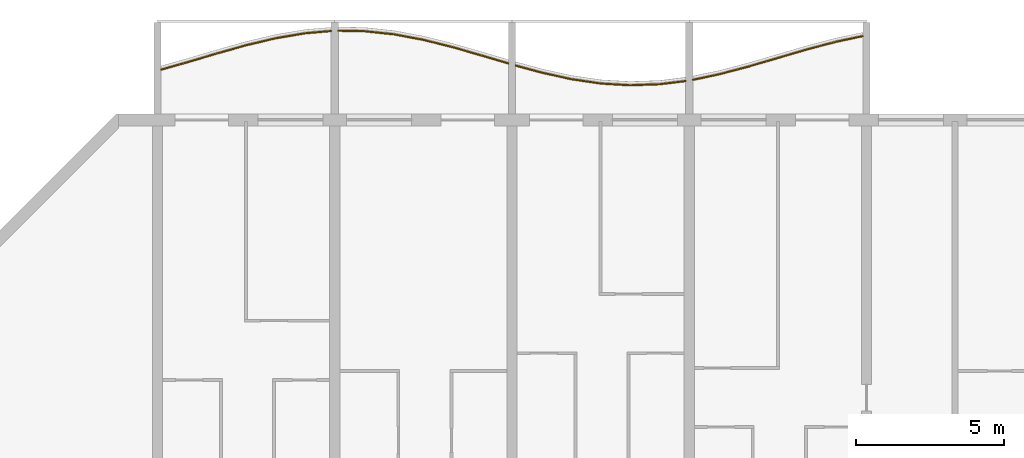
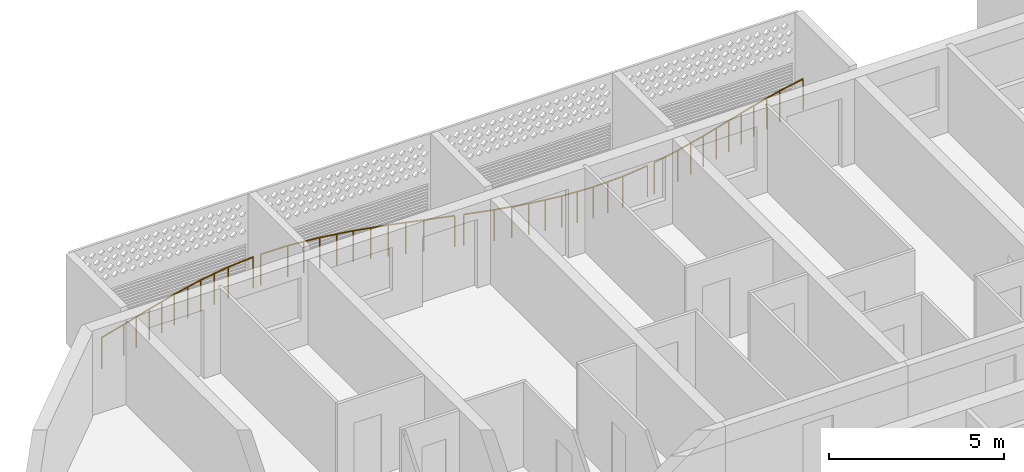
# One storey, part 17 of 24: 4 railings.
"""IFC4 building model written with IfcOpenShell, lengths in metres."""

from ifc_helpers import new_model, si_unit, direction, frame, origin, origin_2d, place, context, subcontext, project, spatial, circle, extrude, material, type_object, element, save


model = new_model("IFC4")

# Units and contexts
model_context = context("Model", 3, precision=1e-05, world=origin(), true_north=direction((0.0, 1.0)))
body_context = subcontext(model_context, "Body", "Model", "MODEL_VIEW")
ifc_project = project(units=[si_unit("LENGTHUNIT", "METRE"), si_unit("AREAUNIT", "SQUARE_METRE"), si_unit("VOLUMEUNIT", "CUBIC_METRE"), si_unit("PLANEANGLEUNIT", "RADIAN"), si_unit("MASSUNIT", "GRAM", prefix="KILO")], contexts=[model_context])

# Site, building, storey
site_placement = place(None, origin())
site = spatial("IfcSite", under=ifc_project, at=site_placement, CompositionType="ELEMENT")
building_placement = place(site_placement, origin())
building = spatial("IfcBuilding", under=site, at=building_placement, Name="Poui Terraces", CompositionType="ELEMENT")
storey_placement = place(building_placement, frame((0.0, 0.0, 112.5)))
storey = spatial("IfcBuildingStorey", under=building, at=storey_placement, Name="L31", CompositionType="ELEMENT", Elevation=112.5)

# Railings
ifc_material = material(Name="Painted steel fretwork", Category="steel")
railing_type = type_object("IfcRailingType", Name="BALCONY GUARD 1100", PredefinedType="GUARDRAIL", material=ifc_material)
railing_1_placement = place(storey_placement, frame((18.125, 45.298583984375, 0.0)))
element("IfcRailing", 1, at=railing_1_placement, inside=storey, type_object=railing_type, Name="BALCONY GUARD", PredefinedType="GUARDRAIL", context=body_context, shape_type="SweptSolid", body=[
    extrude(circle(Radius=0.02392578125, at=origin_2d()), frame((0.0, 0.0, 1.076171875), z_axis=(0.962089167331, 0.272735098775, 0.0), x_axis=(-0.272735098775, 0.962089167331, 0.0)), (0.0, 0.0, 1.0), 0.909423828125),
    extrude(circle(Radius=0.02392578125, at=origin_2d()), frame((0.875, 0.248046875, 1.076171875), z_axis=(0.958646866278, 0.284598288426, 0.0), x_axis=(-0.284598288426, 0.958646866278, 0.0)), (0.0, 0.0, 1.0), 1.043212890625),
    extrude(circle(Radius=0.02392578125, at=origin_2d()), frame((1.875, 0.544921875, 1.076171875), z_axis=(0.962589664763, 0.270963350457, 0.0), x_axis=(-0.270963350457, 0.962589664763, 0.0)), (0.0, 0.0, 1.0), 1.038818359375),
    extrude(circle(Radius=0.02392578125, at=origin_2d()), frame((2.875, 0.826416015625, 1.076171875), z_axis=(0.973032599544, 0.230667640175, 0.0), x_axis=(-0.230667640175, 0.973032599544, 0.0)), (0.0, 0.0, 1.0), 1.02783203125),
    extrude(circle(Radius=0.02392578125, at=origin_2d()), frame((3.875, 1.0634765625, 1.076171875), z_axis=(0.986066669641, 0.166350602715, 0.0), x_axis=(-0.166350602715, 0.986066669641, 0.0)), (0.0, 0.0, 1.0), 1.01416015625),
    extrude(circle(Radius=0.02392578125, at=origin_2d()), frame((4.875, 1.232177734375, 1.076171875), z_axis=(0.996135573706, 0.087828917771, 0.0), x_axis=(-0.087828917771, 0.996135573706, 0.0)), (0.0, 0.0, 1.0), 0.87841796875),
    extrude(circle(Radius=0.02099609375, at=origin_2d()), origin(), (0.0, 0.0, 1.0), 1.052001953125),
    extrude(circle(Radius=0.02099609375, at=origin_2d()), frame((0.875, 0.248046875, 0.0)), (0.0, 0.0, 1.0), 1.052001953125),
    extrude(circle(Radius=0.02099609375, at=origin_2d()), frame((1.375, 0.396484375, 0.0)), (0.0, 0.0, 1.0), 1.052001953125),
    extrude(circle(Radius=0.02099609375, at=origin_2d()), frame((1.875, 0.544921875, 0.0)), (0.0, 0.0, 1.0), 1.052001953125),
    extrude(circle(Radius=0.02099609375, at=origin_2d()), frame((2.375, 0.685546875, 0.0)), (0.0, 0.0, 1.0), 1.052001953125),
    extrude(circle(Radius=0.02099609375, at=origin_2d()), frame((2.875, 0.826416015625, 0.0)), (0.0, 0.0, 1.0), 1.052001953125),
    extrude(circle(Radius=0.02099609375, at=origin_2d()), frame((3.375, 0.94482421875, 0.0)), (0.0, 0.0, 1.0), 1.052001953125),
    extrude(circle(Radius=0.02099609375, at=origin_2d()), frame((3.875, 1.0634765625, 0.0)), (0.0, 0.0, 1.0), 1.052001953125),
    extrude(circle(Radius=0.02099609375, at=origin_2d()), frame((4.375, 1.14794921875, 0.0)), (0.0, 0.0, 1.0), 1.052001953125),
    extrude(circle(Radius=0.02099609375, at=origin_2d()), frame((4.875, 1.232177734375, 0.0)), (0.0, 0.0, 1.0), 1.052001953125),
    extrude(circle(Radius=0.02099609375, at=origin_2d()), frame((5.75, 1.309326171875, 0.0)), (0.0, 0.0, 1.0), 1.052001953125),
])
railing_2_placement = place(storey_placement, frame((24.125, 46.616943359375, 0.0)))
element("IfcRailing", 2, at=railing_2_placement, inside=storey, type_object=railing_type, Name="BALCONY GUARD", PredefinedType="GUARDRAIL", context=body_context, shape_type="SweptSolid", body=[
    extrude(circle(Radius=0.02392578125, at=origin_2d()), frame((0.0, 0.0, 1.076171875), z_axis=(0.999840599345, -0.017854296417, 0.0), x_axis=(0.017854296417, 0.999840599345, 0.0)), (0.0, 0.0, 1.0), 0.875244140625),
    extrude(circle(Radius=0.02392578125, at=origin_2d()), frame((0.875, -0.015625, 1.076171875), z_axis=(0.994509443434, -0.104646867705, 0.0), x_axis=(0.104646867705, 0.994509443434, 0.0)), (0.0, 0.0, 1.0), 1.005615234375),
    extrude(circle(Radius=0.02392578125, at=origin_2d()), frame((1.875, -0.120849609375, 1.076171875), z_axis=(0.982828697247, -0.184520329146, 0.0), x_axis=(0.184520329146, 0.982828697247, 0.0)), (0.0, 0.0, 1.0), 1.017578125),
    extrude(circle(Radius=0.02392578125, at=origin_2d()), frame((2.875, -0.30859375, 1.076171875), z_axis=(0.969975109493, -0.243204208362, 0.0), x_axis=(0.243204208362, 0.969975109493, 0.0)), (0.0, 0.0, 1.0), 1.031005859375),
    extrude(circle(Radius=0.02392578125, at=origin_2d()), frame((3.875, -0.559326171875, 1.076171875), z_axis=(0.960857222001, -0.277044037887, 0.0), x_axis=(0.277044037887, 0.960857222001, 0.0)), (0.0, 0.0, 1.0), 1.040771484375),
    extrude(circle(Radius=0.02392578125, at=origin_2d()), frame((4.875, -0.84765625, 1.076171875), z_axis=(0.9587927149, -0.284106546658, 0.0), x_axis=(0.284106546658, 0.9587927149, 0.0)), (0.0, 0.0, 1.0), 0.91259765625),
    extrude(circle(Radius=0.02099609375, at=origin_2d()), origin(), (0.0, 0.0, 1.0), 1.052001953125),
    extrude(circle(Radius=0.02099609375, at=origin_2d()), frame((0.875, -0.015625, 0.0)), (0.0, 0.0, 1.0), 1.052001953125),
    extrude(circle(Radius=0.02099609375, at=origin_2d()), frame((1.375, -0.068359375, 0.0)), (0.0, 0.0, 1.0), 1.052001953125),
    extrude(circle(Radius=0.02099609375, at=origin_2d()), frame((1.875, -0.120849609375, 0.0)), (0.0, 0.0, 1.0), 1.052001953125),
    extrude(circle(Radius=0.02099609375, at=origin_2d()), frame((2.375, -0.21484375, 0.0)), (0.0, 0.0, 1.0), 1.052001953125),
    extrude(circle(Radius=0.02099609375, at=origin_2d()), frame((2.875, -0.30859375, 0.0)), (0.0, 0.0, 1.0), 1.052001953125),
    extrude(circle(Radius=0.02099609375, at=origin_2d()), frame((3.375, -0.43408203125, 0.0)), (0.0, 0.0, 1.0), 1.052001953125),
    extrude(circle(Radius=0.02099609375, at=origin_2d()), frame((3.875, -0.559326171875, 0.0)), (0.0, 0.0, 1.0), 1.052001953125),
    extrude(circle(Radius=0.02099609375, at=origin_2d()), frame((4.375, -0.70361328125, 0.0)), (0.0, 0.0, 1.0), 1.052001953125),
    extrude(circle(Radius=0.02099609375, at=origin_2d()), frame((4.875, -0.84765625, 0.0)), (0.0, 0.0, 1.0), 1.052001953125),
    extrude(circle(Radius=0.02099609375, at=origin_2d()), frame((5.75, -1.10693359375, 0.0)), (0.0, 0.0, 1.0), 1.052001953125),
])
railing_3_placement = place(storey_placement, frame((30.125, 45.4375, 0.0)))
element("IfcRailing", 3, at=railing_3_placement, inside=storey, type_object=railing_type, Name="BALCONY GUARD", PredefinedType="GUARDRAIL", context=body_context, shape_type="SweptSolid", body=[
    extrude(circle(Radius=0.02392578125, at=origin_2d()), frame((0.0, 0.0, 1.076171875), z_axis=(0.965271662908, -0.261248190017, 0.0), x_axis=(0.261248190017, 0.965271662908, 0.0)), (0.0, 0.0, 1.0), 0.906494140625),
    extrude(circle(Radius=0.02392578125, at=origin_2d()), frame((0.875, -0.23681640625, 1.076171875), z_axis=(0.976198274393, -0.216879987719, 0.0), x_axis=(0.216879987719, 0.976198274393, 0.0)), (0.0, 0.0, 1.0), 1.0244140625),
    extrude(circle(Radius=0.02392578125, at=origin_2d()), frame((1.875, -0.458984375, 1.076171875), z_axis=(0.989161931015, -0.146828724135, 0.0), x_axis=(0.146828724135, 0.989161931015, 0.0)), (0.0, 0.0, 1.0), 1.010986328125),
    extrude(circle(Radius=0.02392578125, at=origin_2d()), frame((2.875, -0.607421875, 1.076171875), z_axis=(0.998244834412, -0.05922204462, 0.0), x_axis=(0.05922204462, 0.998244834412, 0.0)), (0.0, 0.0, 1.0), 1.001708984375),
    extrude(circle(Radius=0.02392578125, at=origin_2d()), frame((3.875, -0.666748046875, 1.076171875), z_axis=(0.999365338401, 0.035621909035, 0.0), x_axis=(-0.035621909035, 0.999365338401, 0.0)), (0.0, 0.0, 1.0), 1.000732421875),
    extrude(circle(Radius=0.02392578125, at=origin_2d()), frame((4.875, -0.631103515625, 1.076171875), z_axis=(0.992648312578, 0.121034406416, 0.0), x_axis=(-0.121034406416, 0.992648312578, 0.0)), (0.0, 0.0, 1.0), 0.881591796875),
    extrude(circle(Radius=0.02099609375, at=origin_2d()), origin(), (0.0, 0.0, 1.0), 1.052001953125),
    extrude(circle(Radius=0.02099609375, at=origin_2d()), frame((0.875, -0.23681640625, 0.0)), (0.0, 0.0, 1.0), 1.052001953125),
    extrude(circle(Radius=0.02099609375, at=origin_2d()), frame((1.375, -0.347900390625, 0.0)), (0.0, 0.0, 1.0), 1.052001953125),
    extrude(circle(Radius=0.02099609375, at=origin_2d()), frame((1.875, -0.458984375, 0.0)), (0.0, 0.0, 1.0), 1.052001953125),
    extrude(circle(Radius=0.02099609375, at=origin_2d()), frame((2.375, -0.533203125, 0.0)), (0.0, 0.0, 1.0), 1.052001953125),
    extrude(circle(Radius=0.02099609375, at=origin_2d()), frame((2.875, -0.607421875, 0.0)), (0.0, 0.0, 1.0), 1.052001953125),
    extrude(circle(Radius=0.02099609375, at=origin_2d()), frame((3.375, -0.63720703125, 0.0)), (0.0, 0.0, 1.0), 1.052001953125),
    extrude(circle(Radius=0.02099609375, at=origin_2d()), frame((3.875, -0.666748046875, 0.0)), (0.0, 0.0, 1.0), 1.052001953125),
    extrude(circle(Radius=0.02099609375, at=origin_2d()), frame((4.375, -0.64892578125, 0.0)), (0.0, 0.0, 1.0), 1.052001953125),
    extrude(circle(Radius=0.02099609375, at=origin_2d()), frame((4.875, -0.631103515625, 0.0)), (0.0, 0.0, 1.0), 1.052001953125),
    extrude(circle(Radius=0.02099609375, at=origin_2d()), frame((5.75, -0.5244140625, 0.0)), (0.0, 0.0, 1.0), 1.052001953125),
])
railing_4_placement = place(storey_placement, frame((36.125, 44.95556640625, 0.0)))
element("IfcRailing", 4, at=railing_4_placement, inside=storey, type_object=railing_type, Name="BALCONY GUARD", PredefinedType="GUARDRAIL", context=body_context, shape_type="SweptSolid", body=[
    extrude(circle(Radius=0.02392578125, at=origin_2d()), frame((0.0, 0.0, 1.076171875), z_axis=(0.978633720926, 0.205611381657, 0.0), x_axis=(-0.205611381657, 0.978633720926, 0.0)), (0.0, 0.0, 1.0), 0.89404296875),
    extrude(circle(Radius=0.02392578125, at=origin_2d()), frame((0.875, 0.183837890625, 1.076171875), z_axis=(0.967184558731, 0.254074849901, 0.0), x_axis=(-0.254074849901, 0.967184558731, 0.0)), (0.0, 0.0, 1.0), 1.033935546875),
    extrude(circle(Radius=0.02392578125, at=origin_2d()), frame((1.875, 0.446533203125, 1.076171875), z_axis=(0.959663427085, 0.281151394654, 0.0), x_axis=(-0.281151394654, 0.959663427085, 0.0)), (0.0, 0.0, 1.0), 1.0419921875),
    extrude(circle(Radius=0.02392578125, at=origin_2d()), frame((2.875, 0.739501953125, 1.076171875), z_axis=(0.959726621702, 0.280935600444, 0.0), x_axis=(-0.280935600444, 0.959726621702, 0.0)), (0.0, 0.0, 1.0), 1.0419921875),
    extrude(circle(Radius=0.02392578125, at=origin_2d()), frame((3.875, 1.0322265625, 1.076171875), z_axis=(0.967126511287, 0.25429571598, 0.0), x_axis=(-0.25429571598, 0.967126511287, 0.0)), (0.0, 0.0, 1.0), 1.033935546875),
    extrude(circle(Radius=0.02392578125, at=origin_2d()), frame((4.875, 1.295166015625, 1.076171875), z_axis=(0.978633720926, 0.205611381657, 0.0), x_axis=(-0.205611381657, 0.978633720926, 0.0)), (0.0, 0.0, 1.0), 0.89404296875),
    extrude(circle(Radius=0.02099609375, at=origin_2d()), origin(), (0.0, 0.0, 1.0), 1.052001953125),
    extrude(circle(Radius=0.02099609375, at=origin_2d()), frame((0.875, 0.183837890625, 0.0)), (0.0, 0.0, 1.0), 1.052001953125),
    extrude(circle(Radius=0.02099609375, at=origin_2d()), frame((1.375, 0.315185546875, 0.0)), (0.0, 0.0, 1.0), 1.052001953125),
    extrude(circle(Radius=0.02099609375, at=origin_2d()), frame((1.875, 0.446533203125, 0.0)), (0.0, 0.0, 1.0), 1.052001953125),
    extrude(circle(Radius=0.02099609375, at=origin_2d()), frame((2.375, 0.593017578125, 0.0)), (0.0, 0.0, 1.0), 1.052001953125),
    extrude(circle(Radius=0.02099609375, at=origin_2d()), frame((2.875, 0.739501953125, 0.0)), (0.0, 0.0, 1.0), 1.052001953125),
    extrude(circle(Radius=0.02099609375, at=origin_2d()), frame((3.375, 0.8857421875, 0.0)), (0.0, 0.0, 1.0), 1.052001953125),
    extrude(circle(Radius=0.02099609375, at=origin_2d()), frame((3.875, 1.0322265625, 0.0)), (0.0, 0.0, 1.0), 1.052001953125),
    extrude(circle(Radius=0.02099609375, at=origin_2d()), frame((4.375, 1.16357421875, 0.0)), (0.0, 0.0, 1.0), 1.052001953125),
    extrude(circle(Radius=0.02099609375, at=origin_2d()), frame((4.875, 1.295166015625, 0.0)), (0.0, 0.0, 1.0), 1.052001953125),
    extrude(circle(Radius=0.02099609375, at=origin_2d()), frame((5.75, 1.47900390625, 0.0)), (0.0, 0.0, 1.0), 1.052001953125),
])

save(model, "model.ifc")
